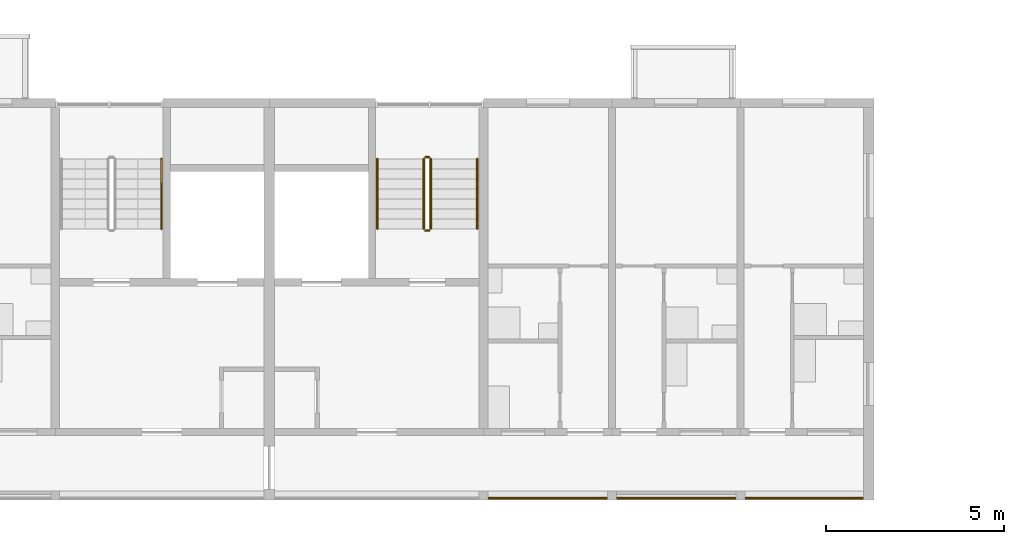
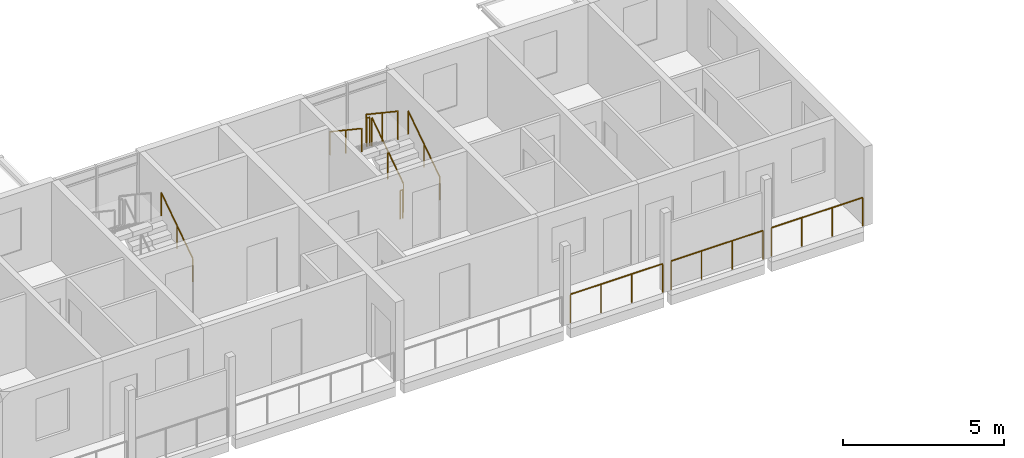
# One storey, part 67 of 78: 10 railings.
"""IFC4 building model written with IfcOpenShell, lengths in metres."""

from ifc_helpers import new_model, si_unit, direction, frame, origin, origin_2d, place, context, subcontext, project, spatial, circle, extrude, material, type_object, element, save


model = new_model("IFC4")

# Units and contexts
model_context = context("Model", 3, precision=1e-05, world=origin(), true_north=direction((0.0, 1.0)))
body_context = subcontext(model_context, "Body", "Model", "MODEL_VIEW")
ifc_project = project(units=[si_unit("LENGTHUNIT", "METRE"), si_unit("AREAUNIT", "SQUARE_METRE"), si_unit("VOLUMEUNIT", "CUBIC_METRE"), si_unit("PLANEANGLEUNIT", "RADIAN"), si_unit("MASSUNIT", "GRAM", prefix="KILO")], contexts=[model_context])

# Site, building, storey
site_placement = place(None, origin())
site = spatial("IfcSite", under=ifc_project, at=site_placement, CompositionType="ELEMENT")
building_placement = place(site_placement, origin())
building = spatial("IfcBuilding", under=site, at=building_placement, Name="Ridgestep Commons", CompositionType="ELEMENT")
storey_placement = place(building_placement, frame((0.0, 0.0, 30.0)))
storey = spatial("IfcBuildingStorey", under=building, at=storey_placement, Name="L10", CompositionType="ELEMENT", Elevation=30.0)

# Railings
ifc_material_1 = material(Name="Structural steel S355JR", Category="steel")
railing_type_1 = type_object("IfcRailingType", Name="Guard 1100", PredefinedType="GUARDRAIL", material=ifc_material_1)
railing_1_placement = place(storey_placement, frame((102.14599609375, 11.800048828125, 0.0)))
element("IfcRailing", 1, at=railing_1_placement, inside=storey, type_object=railing_type_1, Name="Gallery guard A 10.22", PredefinedType="GUARDRAIL", context=body_context, shape_type="SweptSolid", body=[
    extrude(circle(Radius=0.02392578125, at=origin_2d()), frame((0.0, 0.0, 1.076171875), z_axis=(1.0, 0.0, 0.0), x_axis=(0.0, 1.0, 0.0)), (0.0, 0.0, 1.0), 3.30810546875),
    extrude(circle(Radius=0.02099609375, at=origin_2d()), origin(), (0.0, 0.0, 1.0), 1.052001953125),
    extrude(circle(Radius=0.02099609375, at=origin_2d()), frame((1.102783203125, 0.0, 0.0)), (0.0, 0.0, 1.0), 1.052001953125),
    extrude(circle(Radius=0.02099609375, at=origin_2d()), frame((2.205322265625, 0.0, 0.0)), (0.0, 0.0, 1.0), 1.052001953125),
    extrude(circle(Radius=0.02099609375, at=origin_2d()), frame((3.30810546875, 0.0, 0.0)), (0.0, 0.0, 1.0), 1.052001953125),
])
railing_2_placement = place(storey_placement, frame((105.74609375, 11.800048828125, 0.0)))
element("IfcRailing", 2, at=railing_2_placement, inside=storey, type_object=railing_type_1, Name="Gallery guard A 10.23", PredefinedType="GUARDRAIL", context=body_context, shape_type="SweptSolid", body=[
    extrude(circle(Radius=0.02392578125, at=origin_2d()), frame((0.0, 0.0, 1.076171875), z_axis=(1.0, 0.0, 0.0), x_axis=(0.0, 1.0, 0.0)), (0.0, 0.0, 1.0), 3.307861328125),
    extrude(circle(Radius=0.02099609375, at=origin_2d()), origin(), (0.0, 0.0, 1.0), 1.052001953125),
    extrude(circle(Radius=0.02099609375, at=origin_2d()), frame((1.1025390625, 0.0, 0.0)), (0.0, 0.0, 1.0), 1.052001953125),
    extrude(circle(Radius=0.02099609375, at=origin_2d()), frame((2.205322265625, 0.0, 0.0)), (0.0, 0.0, 1.0), 1.052001953125),
    extrude(circle(Radius=0.02099609375, at=origin_2d()), frame((3.307861328125, 0.0, 0.0)), (0.0, 0.0, 1.0), 1.052001953125),
])
railing_3_placement = place(storey_placement, frame((109.345947265625, 11.800048828125, 0.0)))
element("IfcRailing", 3, at=railing_3_placement, inside=storey, type_object=railing_type_1, Name="Gallery guard A 10.24", PredefinedType="GUARDRAIL", context=body_context, shape_type="SweptSolid", body=[
    extrude(circle(Radius=0.02392578125, at=origin_2d()), frame((0.0, 0.0, 1.076171875), z_axis=(1.0, 0.0, 0.0), x_axis=(0.0, 1.0, 0.0)), (0.0, 0.0, 1.0), 3.282958984375),
    extrude(circle(Radius=0.02099609375, at=origin_2d()), origin(), (0.0, 0.0, 1.0), 1.052001953125),
    extrude(circle(Radius=0.02099609375, at=origin_2d()), frame((1.09423828125, 0.0, 0.0)), (0.0, 0.0, 1.0), 1.052001953125),
    extrude(circle(Radius=0.02099609375, at=origin_2d()), frame((2.188720703125, 0.0, 0.0)), (0.0, 0.0, 1.0), 1.052001953125),
    extrude(circle(Radius=0.02099609375, at=origin_2d()), frame((3.282958984375, 0.0, 0.0)), (0.0, 0.0, 1.0), 1.052001953125),
])
ifc_material_2 = material(Name="Structural steel S355JR", Category="steel")
railing_type_2 = type_object("IfcRailingType", Name="Stair guard 1100", PredefinedType="GUARDRAIL", material=ifc_material_2)
railing_4_placement = place(storey_placement, frame((100.52490234375, 19.35009765625, 0.1875)))
element("IfcRailing", 4, at=railing_4_placement, inside=storey, type_object=railing_type_2, Name="L10 A6C stair guard 1", PredefinedType="GUARDRAIL", context=body_context, shape_type="SweptSolid", body=[
    extrude(circle(Radius=0.02392578125, at=origin_2d()), frame((0.0, 0.0, 1.076171875), z_axis=(0.0, 0.830902050051, 0.556418712142), x_axis=(-1.0, 0.0, 0.0)), (0.0, 0.0, 1.0), 2.35888671875),
    extrude(circle(Radius=0.02099609375, at=origin_2d()), origin(), (0.0, 0.0, 1.0), 1.052001953125),
    extrude(circle(Radius=0.02099609375, at=origin_2d()), frame((0.0, 0.97998046875, 0.65625)), (0.0, 0.0, 1.0), 1.052001953125),
    extrude(circle(Radius=0.02099609375, at=origin_2d()), frame((0.0, 1.9599609375, 1.3125)), (0.0, 0.0, 1.0), 1.052001953125),
])
railing_5_placement = place(storey_placement, frame((100.47509765625, 21.360107421875, 1.5)))
element("IfcRailing", 5, at=railing_5_placement, inside=storey, type_object=railing_type_2, Name="L10 A6C stair guard 2", PredefinedType="GUARDRAIL", context=body_context, shape_type="SweptSolid", body=[
    extrude(circle(Radius=0.02392578125, at=origin_2d()), frame((0.0, 0.0, 1.076171875), z_axis=(-1.0, 0.0, 0.0), x_axis=(0.0, -1.0, 0.0)), (0.0, 0.0, 1.0), 0.10009765625),
    extrude(circle(Radius=0.02099609375, at=origin_2d()), origin(), (0.0, 0.0, 1.0), 1.052001953125),
    extrude(circle(Radius=0.02099609375, at=origin_2d()), frame((-0.10009765625, 0.0, 0.0)), (0.0, 0.0, 1.0), 1.052001953125),
])
railing_6_placement = place(storey_placement, frame((100.324951171875, 21.31005859375, 1.6875)))
element("IfcRailing", 6, at=railing_6_placement, inside=storey, type_object=railing_type_2, Name="L10 A6C stair guard 3", PredefinedType="GUARDRAIL", context=body_context, shape_type="SweptSolid", body=[
    extrude(circle(Radius=0.02392578125, at=origin_2d()), frame((0.0, 0.0, 1.076171875), z_axis=(0.0, -0.830902050051, 0.556418712142), x_axis=(1.0, 0.0, 0.0)), (0.0, 0.0, 1.0), 2.35888671875),
    extrude(circle(Radius=0.02099609375, at=origin_2d()), origin(), (0.0, 0.0, 1.0), 1.052001953125),
    extrude(circle(Radius=0.02099609375, at=origin_2d()), frame((0.0, -0.97998046875, 0.65625)), (0.0, 0.0, 1.0), 1.052001953125),
    extrude(circle(Radius=0.02099609375, at=origin_2d()), frame((0.0, -1.9599609375, 1.3125)), (0.0, 0.0, 1.0), 1.052001953125),
])
railing_7_placement = place(storey_placement, frame((100.47509765625, 19.300048828125, 0.0)))
element("IfcRailing", 7, at=railing_7_placement, inside=storey, type_object=railing_type_2, Name="L10 A6C stair guard 4", PredefinedType="GUARDRAIL", context=body_context, shape_type="SweptSolid", body=[
    extrude(circle(Radius=0.02392578125, at=origin_2d()), frame((0.0, 0.0, 1.076171875), z_axis=(-1.0, 0.0, 0.0), x_axis=(0.0, -1.0, 0.0)), (0.0, 0.0, 1.0), 0.10009765625),
    extrude(circle(Radius=0.02099609375, at=origin_2d()), origin(), (0.0, 0.0, 1.0), 1.052001953125),
    extrude(circle(Radius=0.02099609375, at=origin_2d()), frame((-0.10009765625, 0.0, 0.0)), (0.0, 0.0, 1.0), 1.052001953125),
])
ifc_material_3 = material(Name="Structural steel S355JR", Category="steel")
railing_type_3 = type_object("IfcRailingType", Name="Stair handrail 900", PredefinedType="HANDRAIL", material=ifc_material_3)
for number, where, name in (
    (8, (92.97509765625, 19.35009765625, 0.1875), "L10 A5C stair handrail 1"),
    (9, (101.824951171875, 19.35009765625, 0.1875), "L10 A6C stair handrail 1"),
):
    element("IfcRailing", number, at=place(storey_placement, frame(where)), inside=storey, type_object=railing_type_3, Name=name, PredefinedType="HANDRAIL", context=body_context, shape_type="SweptSolid", body=[
        extrude(circle(Radius=0.02392578125, at=origin_2d()), frame((0.0, 0.0, 0.8759765625), z_axis=(0.0, 0.830902050051, 0.556418712142), x_axis=(-1.0, 0.0, 0.0)), (0.0, 0.0, 1.0), 2.35888671875),
        extrude(circle(Radius=0.02099609375, at=origin_2d()), origin(), (0.0, 0.0, 1.0), 0.851806640625),
        extrude(circle(Radius=0.02099609375, at=origin_2d()), frame((0.0, 0.97998046875, 0.65625)), (0.0, 0.0, 1.0), 0.851806640625),
        extrude(circle(Radius=0.02099609375, at=origin_2d()), frame((0.0, 1.9599609375, 1.3125)), (0.0, 0.0, 1.0), 0.851806640625),
    ])
railing_8_placement = place(storey_placement, frame((99.02490234375, 21.31005859375, 1.6875)))
element("IfcRailing", 10, at=railing_8_placement, inside=storey, type_object=railing_type_3, Name="L10 A6C stair handrail 2", PredefinedType="HANDRAIL", context=body_context, shape_type="SweptSolid", body=[
    extrude(circle(Radius=0.02392578125, at=origin_2d()), frame((0.0, 0.0, 0.8759765625), z_axis=(0.0, -0.830902050051, 0.556418712142), x_axis=(1.0, 0.0, 0.0)), (0.0, 0.0, 1.0), 2.35888671875),
    extrude(circle(Radius=0.02099609375, at=origin_2d()), origin(), (0.0, 0.0, 1.0), 0.851806640625),
    extrude(circle(Radius=0.02099609375, at=origin_2d()), frame((0.0, -0.97998046875, 0.65625)), (0.0, 0.0, 1.0), 0.851806640625),
    extrude(circle(Radius=0.02099609375, at=origin_2d()), frame((0.0, -1.9599609375, 1.3125)), (0.0, 0.0, 1.0), 0.851806640625),
])

save(model, "model.ifc")
